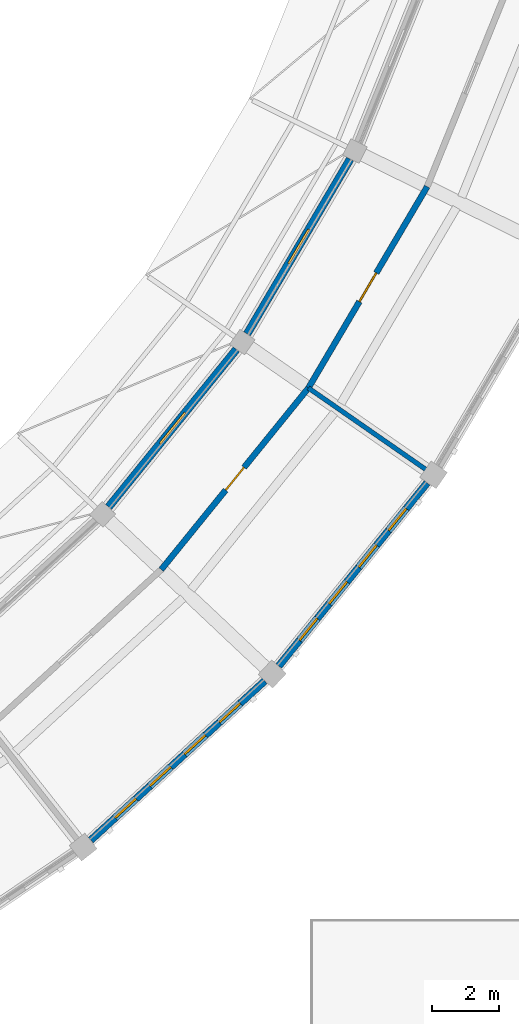
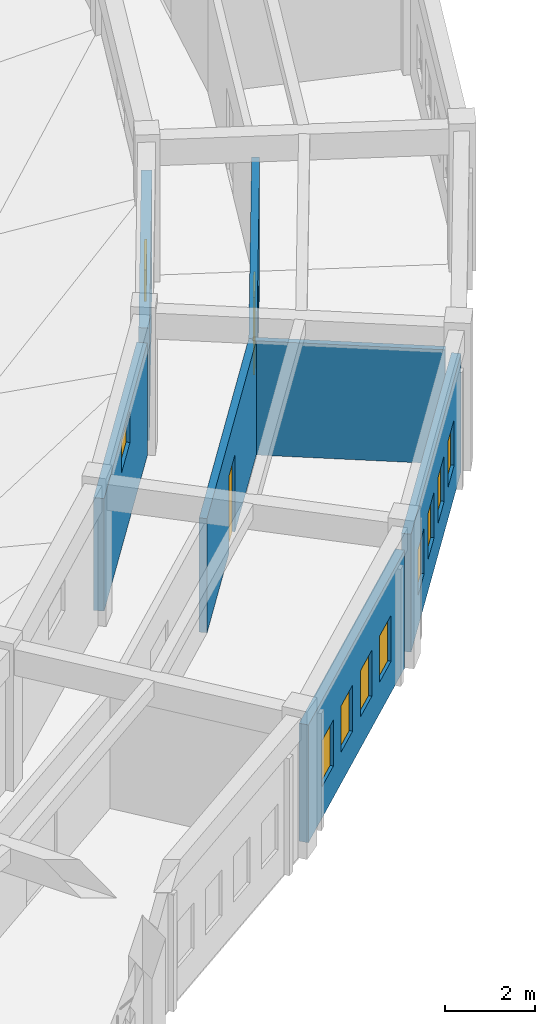
# One storey, part 82 of 112: 10 windows, 7 walls, 2 doors, 12 openings.
"""IFC4 building model written with IfcOpenShell, lengths in metres."""

from ifc_helpers import new_model, si_unit, direction, frame, frame_2d, origin, place, context, subcontext, project, spatial, rectangle, extrude, material, layer, layer_set, type_object, element, fill, save


model = new_model("IFC4")

# Units and contexts
model_context = context("Model", 3, precision=1e-05, world=origin(), true_north=direction((0.0, 1.0)))
body_context = subcontext(model_context, "Body", "Model", "MODEL_VIEW")
ifc_project = project(units=[si_unit("LENGTHUNIT", "METRE"), si_unit("AREAUNIT", "SQUARE_METRE"), si_unit("VOLUMEUNIT", "CUBIC_METRE"), si_unit("PLANEANGLEUNIT", "RADIAN"), si_unit("MASSUNIT", "GRAM", prefix="KILO")], contexts=[model_context])

# Site, building, storey
site_placement = place(None, origin())
site = spatial("IfcSite", under=ifc_project, at=site_placement, CompositionType="ELEMENT")
building_placement = place(site_placement, origin())
building = spatial("IfcBuilding", under=site, at=building_placement, Name="Celadon Cloister-Ring School", CompositionType="ELEMENT")
storey_placement = place(building_placement, frame((0.0, 0.0, 8.5)))
storey = spatial("IfcBuildingStorey", under=building, at=storey_placement, Name="L02", CompositionType="ELEMENT", Elevation=8.5)

# Wall, opening, window
ifc_material_1 = material(Name="Rendered concrete blockwork", Category="masonry")
ifc_layer_1 = layer(ifc_material_1, 0.239990234375)
ifc_layer_set_1 = layer_set([ifc_layer_1], Name="Rendered concrete blockwork")
wall_type_1 = type_object("IfcWallType", Name="WT-EX3", PredefinedType="SOLIDWALL", material=ifc_layer_set_1)
wall_1_placement = place(storey_placement, frame((119.945068359375, 28.376953125, 0.0), z_axis=(0.0, 0.0, 1.0), x_axis=(0.629724854667, 0.776818258935, 0.0)))
wall_1 = element("IfcWall", 1, at=wall_1_placement, inside=storey, type_object=wall_type_1, Name="Exterior Wall 0149", PredefinedType="SOLIDWALL", context=body_context, shape_type="SweptSolid", body=[
    extrude(rectangle(XDim=6.093017578125, YDim=0.239990234375, at=frame_2d((3.04638671875, 0.0))), origin(), (0.0, 0.0, 1.0), 3.050048828125),
])
opening_1_placement = place(wall_1_placement, frame((2.446044921875, 0.0, 2.050048828125)))
opening_1 = element("IfcOpeningElement", 2, at=opening_1_placement, cuts=wall_1, Name="Opening WN-49", PredefinedType="OPENING", context=body_context, shape_type="SweptSolid", body=[
    extrude(rectangle(XDim=1.199951171875, YDim=0.85009765625, at=frame_2d((0.60009765625, 0.425048828125))), frame((0.0, 0.1298828125, 0.0), z_axis=(0.0, -1.0, 0.0), x_axis=(1.0, 0.0, 0.0)), (0.0, 0.0, 1.0), 0.260009765625),
])
ifc_material_2 = material(Name="Tempered laminated insulating glass", Category="glass")
window_type_1 = type_object("IfcWindowType", Name="WN-49", PartitioningType="SINGLE_PANEL", PredefinedType="WINDOW", material=ifc_material_2)
window_1_placement = place(opening_1_placement, origin())
window_1 = element("IfcWindow", 3, at=window_1_placement, inside=storey, type_object=window_type_1, Name="Window 0388", OverallHeight=0.85009765625, OverallWidth=1.199951171875, PartitioningType="SINGLE_PANEL", PredefinedType="WINDOW", context=body_context, shape_type="SweptSolid", body=[
    extrude(rectangle(XDim=1.199951171875, YDim=0.85009765625, at=frame_2d((0.60009765625, 0.425048828125))), frame((0.0, 0.030029296875, 0.0), z_axis=(0.0, -1.0, 0.0), x_axis=(1.0, 0.0, 0.0)), (0.0, 0.0, 1.0), 0.06005859375),
])
fill(opening_1, window_1)

wall_2_placement = place(storey_placement, frame((124.10791015625, 33.580078125, 0.0), z_axis=(0.0, 0.0, 1.0), x_axis=(0.50791108246, 0.861409503265, 0.0)))
wall_2 = element("IfcWall", 4, at=wall_2_placement, inside=storey, type_object=wall_type_1, Name="Exterior Wall 0151", PredefinedType="SOLIDWALL", context=body_context, shape_type="SweptSolid", body=[
    extrude(rectangle(XDim=6.093505859375, YDim=0.239990234375, at=frame_2d((3.046875, 0.0))), origin(), (0.0, 0.0, 1.0), 3.050048828125),
])
opening_2_placement = place(wall_2_placement, frame((2.447021484375, 0.0, 2.050048828125)))
opening_2 = element("IfcOpeningElement", 5, at=opening_2_placement, cuts=wall_2, Name="Opening WN-49", PredefinedType="OPENING", context=body_context, shape_type="SweptSolid", body=[
    extrude(rectangle(XDim=1.199951171875, YDim=0.85009765625, at=frame_2d((0.60009765625, 0.425048828125))), frame((0.0, 0.1298828125, 0.0), z_axis=(0.0, -1.0, 0.0), x_axis=(1.0, 0.0, 0.0)), (0.0, 0.0, 1.0), 0.260009765625),
])
window_2_placement = place(opening_2_placement, origin())
window_2 = element("IfcWindow", 6, at=window_2_placement, inside=storey, type_object=window_type_1, Name="Window 0393", OverallHeight=0.85009765625, OverallWidth=1.199951171875, PartitioningType="SINGLE_PANEL", PredefinedType="WINDOW", context=body_context, shape_type="SweptSolid", body=[
    extrude(rectangle(XDim=1.199951171875, YDim=0.85009765625, at=frame_2d((0.60009765625, 0.425048828125))), frame((0.0, 0.030029296875, 0.0), z_axis=(0.0, -1.0, 0.0), x_axis=(1.0, 0.0, 0.0)), (0.0, 0.0, 1.0), 0.06005859375),
])
fill(opening_2, window_2)

# Wall, openings, windows
ifc_material_3 = material(Name="Perforated terracotta clay brick masonry", Category="masonry")
ifc_layer_2 = layer(ifc_material_3, 0.219970703125)
ifc_layer_set_2 = layer_set([ifc_layer_2], Name="Perforated terracotta clay brick masonry")
wall_type_2 = type_object("IfcWallType", Name="WT-EX4", PredefinedType="SOLIDWALL", material=ifc_layer_set_2)
wall_3_placement = place(storey_placement, frame((124.633056640625, 23.14599609375, 0.0), z_axis=(0.0, 0.0, 1.0), x_axis=(-0.737563208126, -0.675278101243, 0.0)))
wall_3 = element("IfcWall", 7, at=wall_3_placement, inside=storey, type_object=wall_type_2, Name="Exterior Wall 0146", PredefinedType="SOLIDWALL", context=body_context, shape_type="SweptSolid", body=[
    extrude(rectangle(XDim=7.0830078125, YDim=0.219970703125, at=frame_2d((3.54150390625, 0.0))), origin(), (0.0, 0.0, 1.0), 3.19189453125),
])
opening_3_placement = place(wall_3_placement, frame((0.991943359375, 0.0, 0.85009765625)))
opening_3 = element("IfcOpeningElement", 8, at=opening_3_placement, cuts=wall_3, Name="Opening WN-11", PredefinedType="OPENING", context=body_context, shape_type="SweptSolid", body=[
    extrude(rectangle(XDim=0.85009765625, YDim=1.25, at=frame_2d((0.425048828125, 0.625))), frame((0.0, 0.1201171875, 0.0), z_axis=(0.0, -1.0, 0.0), x_axis=(1.0, 0.0, 0.0)), (0.0, 0.0, 1.0), 0.239990234375),
])
opening_4_placement = place(wall_3_placement, frame((2.407958984375, 0.0, 0.85009765625)))
opening_4 = element("IfcOpeningElement", 9, at=opening_4_placement, cuts=wall_3, Name="Opening WN-11", PredefinedType="OPENING", context=body_context, shape_type="SweptSolid", body=[
    extrude(rectangle(XDim=0.85009765625, YDim=1.25, at=frame_2d((0.425048828125, 0.625))), frame((0.0, 0.1201171875, 0.0), z_axis=(0.0, -1.0, 0.0), x_axis=(1.0, 0.0, 0.0)), (0.0, 0.0, 1.0), 0.239990234375),
])
opening_5_placement = place(wall_3_placement, frame((3.824951171875, 0.0, 0.85009765625)))
opening_5 = element("IfcOpeningElement", 10, at=opening_5_placement, cuts=wall_3, Name="Opening WN-11", PredefinedType="OPENING", context=body_context, shape_type="SweptSolid", body=[
    extrude(rectangle(XDim=0.85009765625, YDim=1.25, at=frame_2d((0.425048828125, 0.625))), frame((0.0, 0.1201171875, 0.0), z_axis=(0.0, -1.0, 0.0), x_axis=(1.0, 0.0, 0.0)), (0.0, 0.0, 1.0), 0.239990234375),
])
opening_6_placement = place(wall_3_placement, frame((5.240966796875, 0.0, 0.85009765625)))
opening_6 = element("IfcOpeningElement", 11, at=opening_6_placement, cuts=wall_3, Name="Opening WN-11", PredefinedType="OPENING", context=body_context, shape_type="SweptSolid", body=[
    extrude(rectangle(XDim=0.85009765625, YDim=1.25, at=frame_2d((0.425048828125, 0.625))), frame((0.0, 0.1201171875, 0.0), z_axis=(0.0, -1.0, 0.0), x_axis=(1.0, 0.0, 0.0)), (0.0, 0.0, 1.0), 0.239990234375),
])
ifc_material_4 = material(Name="Tempered laminated insulating glass", Category="glass")
window_type_2 = type_object("IfcWindowType", Name="WN-11", PartitioningType="SINGLE_PANEL", PredefinedType="WINDOW", material=ifc_material_4)
window_3_placement = place(opening_3_placement, origin())
window_3 = element("IfcWindow", 12, at=window_3_placement, inside=storey, type_object=window_type_2, Name="Window 0379", OverallHeight=1.25, OverallWidth=0.85009765625, PartitioningType="SINGLE_PANEL", PredefinedType="WINDOW", context=body_context, shape_type="SweptSolid", body=[
    extrude(rectangle(XDim=0.85009765625, YDim=1.25, at=frame_2d((0.425048828125, 0.625))), frame((0.0, 0.030029296875, 0.0), z_axis=(0.0, -1.0, 0.0), x_axis=(1.0, 0.0, 0.0)), (0.0, 0.0, 1.0), 0.06005859375),
])
fill(opening_3, window_3)
window_4_placement = place(opening_4_placement, origin())
window_4 = element("IfcWindow", 13, at=window_4_placement, inside=storey, type_object=window_type_2, Name="Window 0380", OverallHeight=1.25, OverallWidth=0.85009765625, PartitioningType="SINGLE_PANEL", PredefinedType="WINDOW", context=body_context, shape_type="SweptSolid", body=[
    extrude(rectangle(XDim=0.85009765625, YDim=1.25, at=frame_2d((0.425048828125, 0.625))), frame((0.0, 0.030029296875, 0.0), z_axis=(0.0, -1.0, 0.0), x_axis=(1.0, 0.0, 0.0)), (0.0, 0.0, 1.0), 0.06005859375),
])
fill(opening_4, window_4)
window_5_placement = place(opening_5_placement, origin())
window_5 = element("IfcWindow", 14, at=window_5_placement, inside=storey, type_object=window_type_2, Name="Window 0381", OverallHeight=1.25, OverallWidth=0.85009765625, PartitioningType="SINGLE_PANEL", PredefinedType="WINDOW", context=body_context, shape_type="SweptSolid", body=[
    extrude(rectangle(XDim=0.85009765625, YDim=1.25, at=frame_2d((0.425048828125, 0.625))), frame((0.0, 0.030029296875, 0.0), z_axis=(0.0, -1.0, 0.0), x_axis=(1.0, 0.0, 0.0)), (0.0, 0.0, 1.0), 0.06005859375),
])
fill(opening_5, window_5)
window_6_placement = place(opening_6_placement, origin())
window_6 = element("IfcWindow", 15, at=window_6_placement, inside=storey, type_object=window_type_2, Name="Window 0382", OverallHeight=1.25, OverallWidth=0.85009765625, PartitioningType="SINGLE_PANEL", PredefinedType="WINDOW", context=body_context, shape_type="SweptSolid", body=[
    extrude(rectangle(XDim=0.85009765625, YDim=1.25, at=frame_2d((0.425048828125, 0.625))), frame((0.0, 0.030029296875, 0.0), z_axis=(0.0, -1.0, 0.0), x_axis=(1.0, 0.0, 0.0)), (0.0, 0.0, 1.0), 0.06005859375),
])
fill(opening_6, window_6)

wall_4_placement = place(storey_placement, frame((129.51611328125, 29.09912109375, 0.0), z_axis=(0.0, 0.0, 1.0), x_axis=(-0.629593904529, -0.776924394893, 0.0)))
wall_4 = element("IfcWall", 16, at=wall_4_placement, inside=storey, type_object=wall_type_2, Name="Exterior Wall 0148", PredefinedType="SOLIDWALL", context=body_context, shape_type="SweptSolid", body=[
    extrude(rectangle(XDim=7.080810546875, YDim=0.219970703125, at=frame_2d((3.54052734375, 0.0))), origin(), (0.0, 0.0, 1.0), 3.19189453125),
])
opening_7_placement = place(wall_4_placement, frame((0.990966796875, 0.0, 0.85009765625)))
opening_7 = element("IfcOpeningElement", 17, at=opening_7_placement, cuts=wall_4, Name="Opening WN-11", PredefinedType="OPENING", context=body_context, shape_type="SweptSolid", body=[
    extrude(rectangle(XDim=0.85009765625, YDim=1.25, at=frame_2d((0.425048828125, 0.625))), frame((0.0, 0.1201171875, 0.0), z_axis=(0.0, -1.0, 0.0), x_axis=(1.0, 0.0, 0.0)), (0.0, 0.0, 1.0), 0.239990234375),
])
opening_8_placement = place(wall_4_placement, frame((2.406982421875, 0.0, 0.85009765625)))
opening_8 = element("IfcOpeningElement", 18, at=opening_8_placement, cuts=wall_4, Name="Opening WN-11", PredefinedType="OPENING", context=body_context, shape_type="SweptSolid", body=[
    extrude(rectangle(XDim=0.85009765625, YDim=1.25, at=frame_2d((0.425048828125, 0.625))), frame((0.0, 0.1201171875, 0.0), z_axis=(0.0, -1.0, 0.0), x_axis=(1.0, 0.0, 0.0)), (0.0, 0.0, 1.0), 0.239990234375),
])
opening_9_placement = place(wall_4_placement, frame((3.822998046875, 0.0, 0.85009765625)))
opening_9 = element("IfcOpeningElement", 19, at=opening_9_placement, cuts=wall_4, Name="Opening WN-11", PredefinedType="OPENING", context=body_context, shape_type="SweptSolid", body=[
    extrude(rectangle(XDim=0.85009765625, YDim=1.25, at=frame_2d((0.425048828125, 0.625))), frame((0.0, 0.1201171875, 0.0), z_axis=(0.0, -1.0, 0.0), x_axis=(1.0, 0.0, 0.0)), (0.0, 0.0, 1.0), 0.239990234375),
])
opening_10_placement = place(wall_4_placement, frame((5.239013671875, 0.0, 0.85009765625)))
opening_10 = element("IfcOpeningElement", 20, at=opening_10_placement, cuts=wall_4, Name="Opening WN-11", PredefinedType="OPENING", context=body_context, shape_type="SweptSolid", body=[
    extrude(rectangle(XDim=0.85009765625, YDim=1.25, at=frame_2d((0.425048828125, 0.625))), frame((0.0, 0.1201171875, 0.0), z_axis=(0.0, -1.0, 0.0), x_axis=(1.0, 0.0, 0.0)), (0.0, 0.0, 1.0), 0.239990234375),
])
window_7_placement = place(opening_7_placement, origin())
window_7 = element("IfcWindow", 21, at=window_7_placement, inside=storey, type_object=window_type_2, Name="Window 0384", OverallHeight=1.25, OverallWidth=0.85009765625, PartitioningType="SINGLE_PANEL", PredefinedType="WINDOW", context=body_context, shape_type="SweptSolid", body=[
    extrude(rectangle(XDim=0.85009765625, YDim=1.25, at=frame_2d((0.425048828125, 0.625))), frame((0.0, 0.030029296875, 0.0), z_axis=(0.0, -1.0, 0.0), x_axis=(1.0, 0.0, 0.0)), (0.0, 0.0, 1.0), 0.06005859375),
])
fill(opening_7, window_7)
window_8_placement = place(opening_8_placement, origin())
window_8 = element("IfcWindow", 22, at=window_8_placement, inside=storey, type_object=window_type_2, Name="Window 0385", OverallHeight=1.25, OverallWidth=0.85009765625, PartitioningType="SINGLE_PANEL", PredefinedType="WINDOW", context=body_context, shape_type="SweptSolid", body=[
    extrude(rectangle(XDim=0.85009765625, YDim=1.25, at=frame_2d((0.425048828125, 0.625))), frame((0.0, 0.030029296875, 0.0), z_axis=(0.0, -1.0, 0.0), x_axis=(1.0, 0.0, 0.0)), (0.0, 0.0, 1.0), 0.06005859375),
])
fill(opening_8, window_8)
window_9_placement = place(opening_9_placement, origin())
window_9 = element("IfcWindow", 23, at=window_9_placement, inside=storey, type_object=window_type_2, Name="Window 0386", OverallHeight=1.25, OverallWidth=0.85009765625, PartitioningType="SINGLE_PANEL", PredefinedType="WINDOW", context=body_context, shape_type="SweptSolid", body=[
    extrude(rectangle(XDim=0.85009765625, YDim=1.25, at=frame_2d((0.425048828125, 0.625))), frame((0.0, 0.030029296875, 0.0), z_axis=(0.0, -1.0, 0.0), x_axis=(1.0, 0.0, 0.0)), (0.0, 0.0, 1.0), 0.06005859375),
])
fill(opening_9, window_9)
window_10_placement = place(opening_10_placement, origin())
window_10 = element("IfcWindow", 24, at=window_10_placement, inside=storey, type_object=window_type_2, Name="Window 0387", OverallHeight=1.25, OverallWidth=0.85009765625, PartitioningType="SINGLE_PANEL", PredefinedType="WINDOW", context=body_context, shape_type="SweptSolid", body=[
    extrude(rectangle(XDim=0.85009765625, YDim=1.25, at=frame_2d((0.425048828125, 0.625))), frame((0.0, 0.030029296875, 0.0), z_axis=(0.0, -1.0, 0.0), x_axis=(1.0, 0.0, 0.0)), (0.0, 0.0, 1.0), 0.06005859375),
])
fill(opening_10, window_10)

# Wall, opening, door
ifc_material_5 = material(Name="Plastered hollow concrete masonry", Category="masonry")
ifc_layer_3 = layer(ifc_material_5, 0.179931640625)
ifc_layer_set_3 = layer_set([ifc_layer_3], Name="Plastered hollow concrete masonry")
wall_type_3 = type_object("IfcWallType", Name="WT-PT2", PredefinedType="PARTITIONING", material=ifc_layer_set_3)
wall_5_placement = place(storey_placement, frame((121.527099609375, 26.4951171875, 0.0), z_axis=(0.0, 0.0, 1.0), x_axis=(0.629599050971, 0.776920224358, 0.0)))
wall_5 = element("IfcWall", 25, at=wall_5_placement, inside=storey, type_object=wall_type_3, Name="Interior Wall 0579", PredefinedType="PARTITIONING", context=body_context, shape_type="SweptSolid", body=[
    extrude(rectangle(XDim=7.02490234375, YDim=0.179931640625, at=frame_2d((3.512451171875, 0.0))), origin(), (0.0, 0.0, 1.0), 3.092041015625),
])
opening_11_placement = place(wall_5_placement, frame((3.072998046875, 0.0, 0.0)))
opening_11 = element("IfcOpeningElement", 26, at=opening_11_placement, cuts=wall_5, Name="Opening D-0194", PredefinedType="OPENING", context=body_context, shape_type="SweptSolid", body=[
    extrude(rectangle(XDim=0.8798828125, YDim=2.10009765625, at=frame_2d((0.43994140625, 1.050048828125))), frame((0.0, 0.10009765625, 0.0), z_axis=(0.0, -1.0, 0.0), x_axis=(1.0, 0.0, 0.0)), (0.0, 0.0, 1.0), 0.199951171875),
])
ifc_material_6 = material(Name="Solid-core fire-rated hardwood leaf", Category="wood")
door_type_1 = type_object("IfcDoorType", Name="DT-01", OperationType="NOTDEFINED", PredefinedType="DOOR", material=ifc_material_6)
door_1_placement = place(opening_11_placement, origin())
door_1 = element("IfcDoor", 27, at=door_1_placement, inside=storey, type_object=door_type_1, Name="Door D-0194", OperationType="SINGLE_SWING_RIGHT", OverallHeight=2.10009765625, OverallWidth=0.8798828125, PredefinedType="DOOR", context=body_context, shape_type="SweptSolid", body=[
    extrude(rectangle(XDim=0.8798828125, YDim=2.10009765625, at=frame_2d((0.43994140625, 1.050048828125))), frame((0.0, 0.02490234375, 0.0), z_axis=(0.0, -1.0, 0.0), x_axis=(1.0, 0.0, 0.0)), (0.0, 0.0, 1.0), 0.050048828125),
])
fill(opening_11, door_1)

wall_6_placement = place(storey_placement, frame((125.949951171875, 31.952880859375, 0.0), z_axis=(0.0, 0.0, 1.0), x_axis=(0.508041876767, 0.861332369908, 0.0)))
wall_6 = element("IfcWall", 28, at=wall_6_placement, inside=storey, type_object=wall_type_3, Name="Interior Wall 0580", PredefinedType="PARTITIONING", context=body_context, shape_type="SweptSolid", body=[
    extrude(rectangle(XDim=7.025146484375, YDim=0.179931640625, at=frame_2d((3.5126953125, 0.0))), origin(), (0.0, 0.0, 1.0), 3.092041015625),
])
opening_12_placement = place(wall_6_placement, frame((3.012939453125, 0.0, 0.0)))
opening_12 = element("IfcOpeningElement", 29, at=opening_12_placement, cuts=wall_6, Name="Opening D-0195", PredefinedType="OPENING", context=body_context, shape_type="SweptSolid", body=[
    extrude(rectangle(XDim=1.0, YDim=2.10009765625, at=frame_2d((0.5, 1.050048828125))), frame((0.0, 0.10009765625, 0.0), z_axis=(0.0, -1.0, 0.0), x_axis=(1.0, 0.0, 0.0)), (0.0, 0.0, 1.0), 0.199951171875),
])
ifc_material_7 = material(Name="Solid-core fire-rated hardwood leaf", Category="wood")
door_type_2 = type_object("IfcDoorType", Name="DT-04", OperationType="NOTDEFINED", PredefinedType="DOOR", material=ifc_material_7)
door_2_placement = place(opening_12_placement, origin())
door_2 = element("IfcDoor", 30, at=door_2_placement, inside=storey, type_object=door_type_2, Name="Door D-0195", OperationType="SINGLE_SWING_LEFT", OverallHeight=2.10009765625, OverallWidth=1.0, PredefinedType="DOOR", context=body_context, shape_type="SweptSolid", body=[
    extrude(rectangle(XDim=1.0, YDim=2.10009765625, at=frame_2d((0.5, 1.050048828125))), frame((0.0, 0.02490234375, 0.0), z_axis=(0.0, -1.0, 0.0), x_axis=(1.0, 0.0, 0.0)), (0.0, 0.0, 1.0), 0.050048828125),
])
fill(opening_12, door_2)

# Wall
ifc_material_8 = material(Name="Acoustic mineral-wool drywall partition")
ifc_layer_4 = layer(ifc_material_8, 0.139892578125)
ifc_layer_set_4 = layer_set([ifc_layer_4], Name="Acoustic mineral-wool drywall partition")
wall_type_4 = type_object("IfcWallType", Name="WT-PT4", PredefinedType="PARTITIONING", material=ifc_layer_set_4)
wall_7_placement = place(storey_placement, frame((125.949951171875, 31.952880859375, 0.0), z_axis=(0.0, 0.0, 1.0), x_axis=(0.821478147988, -0.570239995422, 0.0)))
element("IfcWall", 31, at=wall_7_placement, inside=storey, type_object=wall_type_4, Name="Interior Wall 0549", PredefinedType="PARTITIONING", context=body_context, shape_type="SweptSolid", body=[
    extrude(rectangle(XDim=4.287353515625, YDim=0.139892578125, at=frame_2d((2.1435546875, 0.0))), origin(), (0.0, 0.0, 1.0), 3.092041015625),
])

save(model, "model.ifc")
